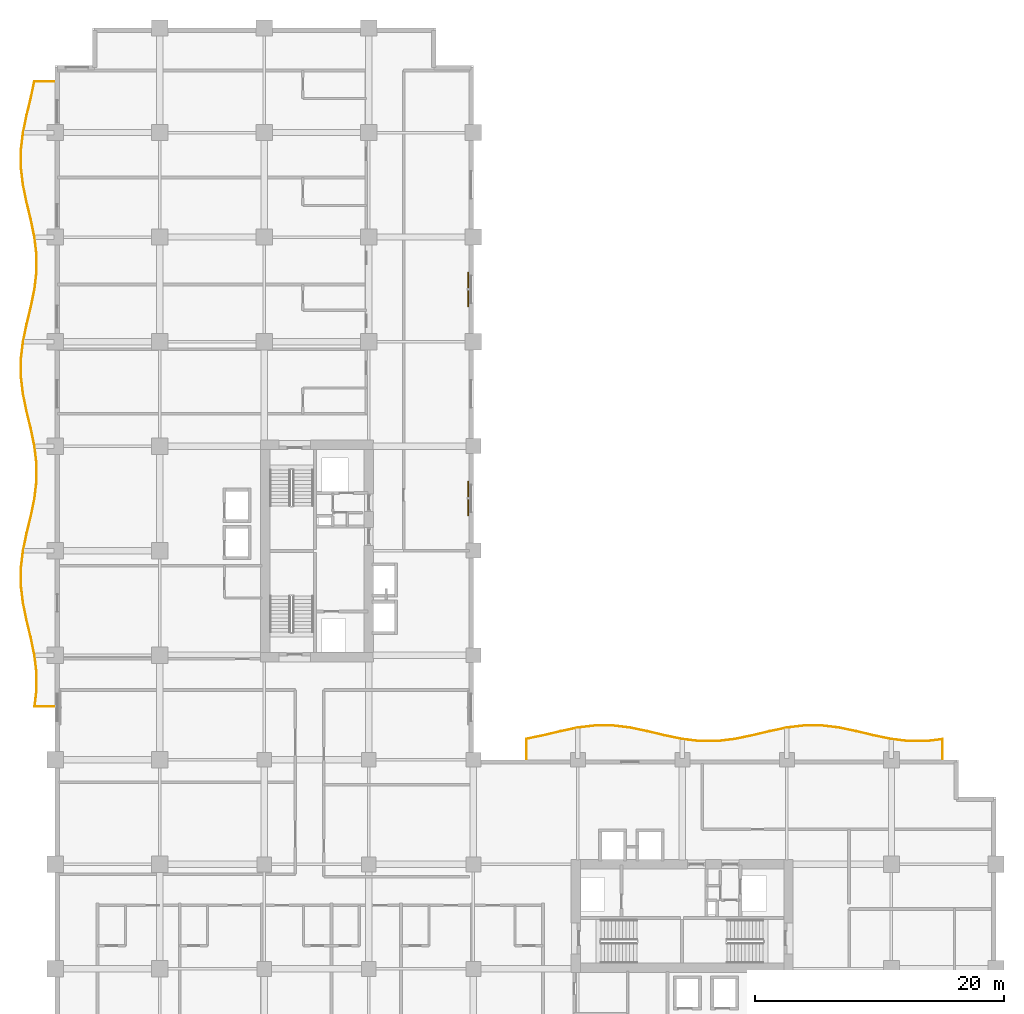
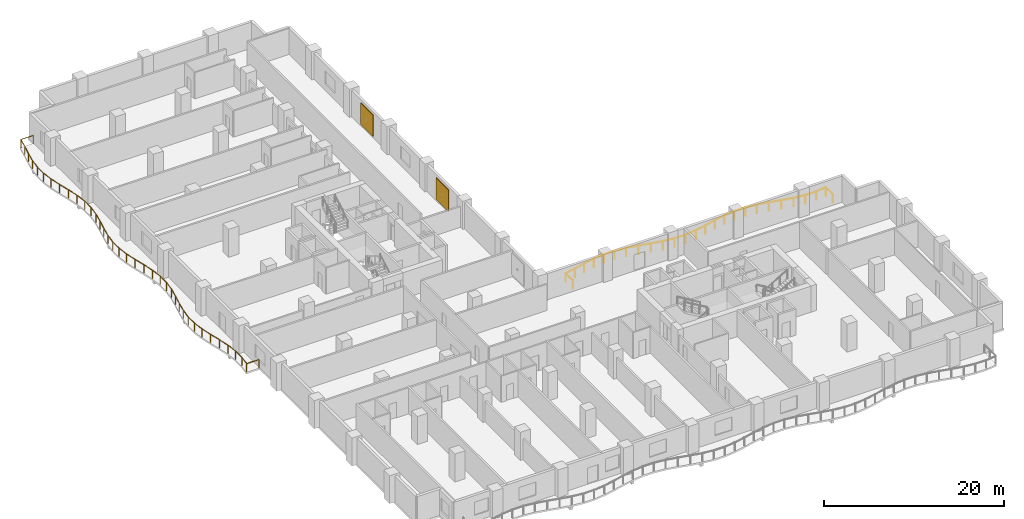
# One storey, part 17 of 17: 2 railings, 2 shading devices.
"""IFC4 building model written with IfcOpenShell, lengths in metres."""

from ifc_helpers import new_model, si_unit, direction, frame, origin, origin_2d, place, context, subcontext, project, spatial, rectangle, circle, extrude, material, layer, layer_set, type_object, element, save


model = new_model("IFC4")

# Units and contexts
model_context = context("Model", 3, precision=1e-05, world=origin(), true_north=direction((0.0, 1.0)))
body_context = subcontext(model_context, "Body", "Model", "MODEL_VIEW")
ifc_project = project(units=[si_unit("LENGTHUNIT", "METRE"), si_unit("AREAUNIT", "SQUARE_METRE"), si_unit("VOLUMEUNIT", "CUBIC_METRE"), si_unit("PLANEANGLEUNIT", "RADIAN"), si_unit("MASSUNIT", "GRAM", prefix="KILO")], contexts=[model_context])

# Site, building, storey
site_placement = place(None, origin())
site = spatial("IfcSite", under=ifc_project, at=site_placement, CompositionType="ELEMENT")
building_placement = place(site_placement, origin())
building = spatial("IfcBuilding", under=site, at=building_placement, Name="Koriwani Terraces Tower", CompositionType="ELEMENT")
storey_placement = place(building_placement, frame((0.0, 0.0, 122.800048828125)))
storey = spatial("IfcBuildingStorey", under=building, at=storey_placement, Name="L29", CompositionType="ELEMENT", Elevation=122.800048828125)

# Railings
ifc_material_1 = material(Name="Steel ASTM A572 Grade 50", Category="steel")
railing_type = type_object("IfcRailingType", Name="GUARD_BALUSTRADE_1150", PredefinedType="BALUSTRADE", material=ifc_material_1)
railing_1_placement = place(storey_placement, frame((-0.080078125, 37.8798828125, 0.0)))
element("IfcRailing", 1, at=railing_1_placement, inside=storey, type_object=railing_type, Name="L29 Balcony Perimeter Safety Balustrade (W)", PredefinedType="BALUSTRADE", context=body_context, shape_type="SweptSolid", body=[
    extrude(circle(Radius=0.02392578125, at=origin_2d()), frame((0.0, 0.0, 1.1259765625), z_axis=(-1.0, 0.0, 0.0), x_axis=(0.0, -1.0, 0.0)), (0.0, 0.0, 1.0), 1.570068359375),
    extrude(circle(Radius=0.02392578125, at=origin_2d()), frame((-1.570068359375, 0.0, 1.1259765625), z_axis=(0.11904348932, 0.992889040956, 0.0), x_axis=(-0.992889040956, 0.11904348932, 0.0)), (0.0, 0.0, 1.0), 1.324951171875),
    extrude(circle(Radius=0.02392578125, at=origin_2d()), frame((-1.412353515625, 1.3154296875, 1.1259765625), z_axis=(0.0, 1.0, 0.0), x_axis=(-1.0, 0.0, 0.0)), (0.0, 0.0, 1.0), 1.409423828125),
    extrude(circle(Radius=0.02392578125, at=origin_2d()), frame((-1.412353515625, 2.724853515625, 1.1259765625), z_axis=(-0.119287758056, 0.992859723616, 0.0), x_axis=(-0.992859723616, -0.119287758056, 0.0)), (0.0, 0.0, 1.0), 1.418212890625),
    extrude(circle(Radius=0.02392578125, at=origin_2d()), frame((-1.58154296875, 4.133056640625, 1.1259765625), z_axis=(-0.203539678581, 0.979066698056, 0.0), x_axis=(-0.979066698056, -0.203539678581, 0.0)), (0.0, 0.0, 1.0), 1.4345703125),
    extrude(circle(Radius=0.02392578125, at=origin_2d()), frame((-1.87353515625, 5.53759765625, 1.1259765625), z_axis=(-0.233667958249, 0.972316453264, 0.0), x_axis=(-0.972316453264, -0.233667958249, 0.0)), (0.0, 0.0, 1.0), 1.439697265625),
    extrude(circle(Radius=0.02392578125, at=origin_2d()), frame((-2.2099609375, 6.9375, 1.1259765625), z_axis=(-0.203817459967, 0.979008908546, 0.0), x_axis=(-0.979008908546, -0.203817459967, 0.0)), (0.0, 0.0, 1.0), 1.425537109375),
    extrude(circle(Radius=0.02392578125, at=origin_2d()), frame((-2.50048828125, 8.3330078125, 1.1259765625), z_axis=(-0.119296300234, 0.992858697273, 0.0), x_axis=(-0.992858697273, -0.119296300234, 0.0)), (0.0, 0.0, 1.0), 1.40185546875),
    extrude(circle(Radius=0.02392578125, at=origin_2d()), frame((-2.667724609375, 9.724853515625, 1.1259765625), z_axis=(0.0, 1.0, 0.0), x_axis=(-1.0, 0.0, 0.0)), (0.0, 0.0, 1.0), 1.390380859375),
    extrude(circle(Radius=0.02392578125, at=origin_2d()), frame((-2.667724609375, 11.115234375, 1.1259765625), z_axis=(0.119275676073, 0.992861175138, 0.0), x_axis=(-0.992861175138, 0.119275676073, 0.0)), (0.0, 0.0, 1.0), 1.402099609375),
    extrude(circle(Radius=0.02392578125, at=origin_2d()), frame((-2.50048828125, 12.50732421875, 1.1259765625), z_axis=(0.20385164167, 0.979001791719, 0.0), x_axis=(-0.979001791719, 0.20385164167, 0.0)), (0.0, 0.0, 1.0), 1.42529296875),
    extrude(circle(Radius=0.02392578125, at=origin_2d()), frame((-2.2099609375, 13.902587890625, 1.1259765625), z_axis=(0.233629438166, 0.972325709638, 0.0), x_axis=(-0.972325709638, 0.233629438166, 0.0)), (0.0, 0.0, 1.0), 1.43994140625),
    extrude(circle(Radius=0.02392578125, at=origin_2d()), frame((-1.87353515625, 15.302734375, 1.1259765625), z_axis=(0.203539678581, 0.979066698056, 0.0), x_axis=(-0.979066698056, 0.203539678581, 0.0)), (0.0, 0.0, 1.0), 1.4345703125),
    extrude(circle(Radius=0.02392578125, at=origin_2d()), frame((-1.58154296875, 16.707275390625, 1.1259765625), z_axis=(0.119308148191, 0.992857273618, 0.0), x_axis=(-0.992857273618, 0.119308148191, 0.0)), (0.0, 0.0, 1.0), 1.41796875),
    extrude(circle(Radius=0.02392578125, at=origin_2d()), frame((-1.412353515625, 18.115234375, 1.1259765625), z_axis=(0.0, 1.0, 0.0), x_axis=(-1.0, 0.0, 0.0)), (0.0, 0.0, 1.0), 1.40966796875),
    extrude(circle(Radius=0.02392578125, at=origin_2d()), frame((-1.412353515625, 19.52490234375, 1.1259765625), z_axis=(-0.119287758056, 0.992859723616, 0.0), x_axis=(-0.992859723616, -0.119287758056, 0.0)), (0.0, 0.0, 1.0), 1.418212890625),
    extrude(circle(Radius=0.02392578125, at=origin_2d()), frame((-1.58154296875, 20.93310546875, 1.1259765625), z_axis=(-0.203539678581, 0.979066698056, 0.0), x_axis=(-0.979066698056, -0.203539678581, 0.0)), (0.0, 0.0, 1.0), 1.4345703125),
    extrude(circle(Radius=0.02392578125, at=origin_2d()), frame((-1.87353515625, 22.337646484375, 1.1259765625), z_axis=(-0.233667958249, 0.972316453264, 0.0), x_axis=(-0.972316453264, -0.233667958249, 0.0)), (0.0, 0.0, 1.0), 1.439697265625),
    extrude(circle(Radius=0.02392578125, at=origin_2d()), frame((-2.2099609375, 23.737548828125, 1.1259765625), z_axis=(-0.203817459967, 0.979008908546, 0.0), x_axis=(-0.979008908546, -0.203817459967, 0.0)), (0.0, 0.0, 1.0), 1.425537109375),
    extrude(circle(Radius=0.02392578125, at=origin_2d()), frame((-2.50048828125, 25.133056640625, 1.1259765625), z_axis=(-0.119296300234, 0.992858697273, 0.0), x_axis=(-0.992858697273, -0.119296300234, 0.0)), (0.0, 0.0, 1.0), 1.40185546875),
    extrude(circle(Radius=0.02392578125, at=origin_2d()), frame((-2.667724609375, 26.52490234375, 1.1259765625), z_axis=(0.0, 1.0, 0.0), x_axis=(-1.0, 0.0, 0.0)), (0.0, 0.0, 1.0), 1.390380859375),
    extrude(circle(Radius=0.02392578125, at=origin_2d()), frame((-2.667724609375, 27.915283203125, 1.1259765625), z_axis=(0.119296300234, 0.992858697273, 0.0), x_axis=(-0.992858697273, 0.119296300234, 0.0)), (0.0, 0.0, 1.0), 1.40185546875),
    extrude(circle(Radius=0.02392578125, at=origin_2d()), frame((-2.50048828125, 29.30712890625, 1.1259765625), z_axis=(0.203817459967, 0.979008908546, 0.0), x_axis=(-0.979008908546, 0.203817459967, 0.0)), (0.0, 0.0, 1.0), 1.425537109375),
    extrude(circle(Radius=0.02392578125, at=origin_2d()), frame((-2.2099609375, 30.70263671875, 1.1259765625), z_axis=(0.233667958249, 0.972316453264, 0.0), x_axis=(-0.972316453264, 0.233667958249, 0.0)), (0.0, 0.0, 1.0), 1.439697265625),
    extrude(circle(Radius=0.02392578125, at=origin_2d()), frame((-1.87353515625, 32.1025390625, 1.1259765625), z_axis=(0.203505770089, 0.979073746732, 0.0), x_axis=(-0.979073746732, 0.203505770089, 0.0)), (0.0, 0.0, 1.0), 1.434814453125),
    extrude(circle(Radius=0.02392578125, at=origin_2d()), frame((-1.58154296875, 33.50732421875, 1.1259765625), z_axis=(0.119308148191, 0.992857273618, 0.0), x_axis=(-0.992857273618, 0.119308148191, 0.0)), (0.0, 0.0, 1.0), 1.41796875),
    extrude(circle(Radius=0.02392578125, at=origin_2d()), frame((-1.412353515625, 34.915283203125, 1.1259765625), z_axis=(0.0, 1.0, 0.0), x_axis=(-1.0, 0.0, 0.0)), (0.0, 0.0, 1.0), 1.40966796875),
    extrude(circle(Radius=0.02392578125, at=origin_2d()), frame((-1.412353515625, 36.324951171875, 1.1259765625), z_axis=(-0.119308148191, 0.992857273618, 0.0), x_axis=(-0.992857273618, -0.119308148191, 0.0)), (0.0, 0.0, 1.0), 1.41796875),
    extrude(circle(Radius=0.02392578125, at=origin_2d()), frame((-1.58154296875, 37.73291015625, 1.1259765625), z_axis=(-0.203505770089, 0.979073746732, 0.0), x_axis=(-0.979073746732, -0.203505770089, 0.0)), (0.0, 0.0, 1.0), 1.434814453125),
    extrude(circle(Radius=0.02392578125, at=origin_2d()), frame((-1.87353515625, 39.1376953125, 1.1259765625), z_axis=(-0.233667958249, 0.972316453264, 0.0), x_axis=(-0.972316453264, -0.233667958249, 0.0)), (0.0, 0.0, 1.0), 1.439697265625),
    extrude(circle(Radius=0.02392578125, at=origin_2d()), frame((-2.2099609375, 40.53759765625, 1.1259765625), z_axis=(-0.203817459967, 0.979008908546, 0.0), x_axis=(-0.979008908546, -0.203817459967, 0.0)), (0.0, 0.0, 1.0), 1.425537109375),
    extrude(circle(Radius=0.02392578125, at=origin_2d()), frame((-2.50048828125, 41.93310546875, 1.1259765625), z_axis=(-0.119296300234, 0.992858697273, 0.0), x_axis=(-0.992858697273, -0.119296300234, 0.0)), (0.0, 0.0, 1.0), 1.40185546875),
    extrude(circle(Radius=0.02392578125, at=origin_2d()), frame((-2.667724609375, 43.324951171875, 1.1259765625), z_axis=(0.0, 1.0, 0.0), x_axis=(-1.0, 0.0, 0.0)), (0.0, 0.0, 1.0), 1.390380859375),
    extrude(circle(Radius=0.02392578125, at=origin_2d()), frame((-2.667724609375, 44.71533203125, 1.1259765625), z_axis=(0.119296300234, 0.992858697273, 0.0), x_axis=(-0.992858697273, 0.119296300234, 0.0)), (0.0, 0.0, 1.0), 1.40185546875),
    extrude(circle(Radius=0.02392578125, at=origin_2d()), frame((-2.50048828125, 46.107177734375, 1.1259765625), z_axis=(0.203817459967, 0.979008908546, 0.0), x_axis=(-0.979008908546, 0.203817459967, 0.0)), (0.0, 0.0, 1.0), 1.425537109375),
    extrude(circle(Radius=0.02392578125, at=origin_2d()), frame((-2.2099609375, 47.502685546875, 1.1259765625), z_axis=(0.233667958249, 0.972316453264, 0.0), x_axis=(-0.972316453264, 0.233667958249, 0.0)), (0.0, 0.0, 1.0), 1.439697265625),
    extrude(circle(Radius=0.02392578125, at=origin_2d()), frame((-1.87353515625, 48.902587890625, 1.1259765625), z_axis=(0.203704500299, 0.979032418543, 0.0), x_axis=(-0.979032418543, 0.203704500299, 0.0)), (0.0, 0.0, 1.0), 1.3662109375),
    extrude(circle(Radius=0.02392578125, at=origin_2d()), frame((-1.59521484375, 50.240234375, 1.1259765625), z_axis=(1.0, 0.0, 0.0), x_axis=(0.0, 1.0, 0.0)), (0.0, 0.0, 1.0), 1.59521484375),
    extrude(circle(Radius=0.02099609375, at=origin_2d()), origin(), (0.0, 0.0, 1.0), 1.101806640625),
    extrude(circle(Radius=0.02099609375, at=origin_2d()), frame((-1.570068359375, 0.0, 0.0)), (0.0, 0.0, 1.0), 1.101806640625),
    extrude(circle(Radius=0.02099609375, at=origin_2d()), frame((-1.412353515625, 1.3154296875, 0.0)), (0.0, 0.0, 1.0), 1.101806640625),
    extrude(circle(Radius=0.02099609375, at=origin_2d()), frame((-1.412353515625, 2.724853515625, 0.0)), (0.0, 0.0, 1.0), 1.101806640625),
    extrude(circle(Radius=0.02099609375, at=origin_2d()), frame((-1.58154296875, 4.133056640625, 0.0)), (0.0, 0.0, 1.0), 1.101806640625),
    extrude(circle(Radius=0.02099609375, at=origin_2d()), frame((-1.87353515625, 5.53759765625, 0.0)), (0.0, 0.0, 1.0), 1.101806640625),
    extrude(circle(Radius=0.02099609375, at=origin_2d()), frame((-2.2099609375, 6.9375, 0.0)), (0.0, 0.0, 1.0), 1.101806640625),
    extrude(circle(Radius=0.02099609375, at=origin_2d()), frame((-2.50048828125, 8.3330078125, 0.0)), (0.0, 0.0, 1.0), 1.101806640625),
    extrude(circle(Radius=0.02099609375, at=origin_2d()), frame((-2.667724609375, 9.724853515625, 0.0)), (0.0, 0.0, 1.0), 1.101806640625),
    extrude(circle(Radius=0.02099609375, at=origin_2d()), frame((-2.667724609375, 11.115234375, 0.0)), (0.0, 0.0, 1.0), 1.101806640625),
    extrude(circle(Radius=0.02099609375, at=origin_2d()), frame((-2.50048828125, 12.50732421875, 0.0)), (0.0, 0.0, 1.0), 1.101806640625),
    extrude(circle(Radius=0.02099609375, at=origin_2d()), frame((-2.2099609375, 13.902587890625, 0.0)), (0.0, 0.0, 1.0), 1.101806640625),
    extrude(circle(Radius=0.02099609375, at=origin_2d()), frame((-1.87353515625, 15.302734375, 0.0)), (0.0, 0.0, 1.0), 1.101806640625),
    extrude(circle(Radius=0.02099609375, at=origin_2d()), frame((-1.58154296875, 16.707275390625, 0.0)), (0.0, 0.0, 1.0), 1.101806640625),
    extrude(circle(Radius=0.02099609375, at=origin_2d()), frame((-1.412353515625, 18.115234375, 0.0)), (0.0, 0.0, 1.0), 1.101806640625),
    extrude(circle(Radius=0.02099609375, at=origin_2d()), frame((-1.412353515625, 19.52490234375, 0.0)), (0.0, 0.0, 1.0), 1.101806640625),
    extrude(circle(Radius=0.02099609375, at=origin_2d()), frame((-1.58154296875, 20.93310546875, 0.0)), (0.0, 0.0, 1.0), 1.101806640625),
    extrude(circle(Radius=0.02099609375, at=origin_2d()), frame((-1.87353515625, 22.337646484375, 0.0)), (0.0, 0.0, 1.0), 1.101806640625),
    extrude(circle(Radius=0.02099609375, at=origin_2d()), frame((-2.2099609375, 23.737548828125, 0.0)), (0.0, 0.0, 1.0), 1.101806640625),
    extrude(circle(Radius=0.02099609375, at=origin_2d()), frame((-2.50048828125, 25.133056640625, 0.0)), (0.0, 0.0, 1.0), 1.101806640625),
    extrude(circle(Radius=0.02099609375, at=origin_2d()), frame((-2.667724609375, 26.52490234375, 0.0)), (0.0, 0.0, 1.0), 1.101806640625),
    extrude(circle(Radius=0.02099609375, at=origin_2d()), frame((-2.667724609375, 27.915283203125, 0.0)), (0.0, 0.0, 1.0), 1.101806640625),
    extrude(circle(Radius=0.02099609375, at=origin_2d()), frame((-2.50048828125, 29.30712890625, 0.0)), (0.0, 0.0, 1.0), 1.101806640625),
    extrude(circle(Radius=0.02099609375, at=origin_2d()), frame((-2.2099609375, 30.70263671875, 0.0)), (0.0, 0.0, 1.0), 1.101806640625),
    extrude(circle(Radius=0.02099609375, at=origin_2d()), frame((-1.87353515625, 32.1025390625, 0.0)), (0.0, 0.0, 1.0), 1.101806640625),
    extrude(circle(Radius=0.02099609375, at=origin_2d()), frame((-1.58154296875, 33.50732421875, 0.0)), (0.0, 0.0, 1.0), 1.101806640625),
    extrude(circle(Radius=0.02099609375, at=origin_2d()), frame((-1.412353515625, 34.915283203125, 0.0)), (0.0, 0.0, 1.0), 1.101806640625),
    extrude(circle(Radius=0.02099609375, at=origin_2d()), frame((-1.412353515625, 36.324951171875, 0.0)), (0.0, 0.0, 1.0), 1.101806640625),
    extrude(circle(Radius=0.02099609375, at=origin_2d()), frame((-1.58154296875, 37.73291015625, 0.0)), (0.0, 0.0, 1.0), 1.101806640625),
    extrude(circle(Radius=0.02099609375, at=origin_2d()), frame((-1.87353515625, 39.1376953125, 0.0)), (0.0, 0.0, 1.0), 1.101806640625),
    extrude(circle(Radius=0.02099609375, at=origin_2d()), frame((-2.2099609375, 40.53759765625, 0.0)), (0.0, 0.0, 1.0), 1.101806640625),
    extrude(circle(Radius=0.02099609375, at=origin_2d()), frame((-2.50048828125, 41.93310546875, 0.0)), (0.0, 0.0, 1.0), 1.101806640625),
    extrude(circle(Radius=0.02099609375, at=origin_2d()), frame((-2.667724609375, 43.324951171875, 0.0)), (0.0, 0.0, 1.0), 1.101806640625),
    extrude(circle(Radius=0.02099609375, at=origin_2d()), frame((-2.667724609375, 44.71533203125, 0.0)), (0.0, 0.0, 1.0), 1.101806640625),
    extrude(circle(Radius=0.02099609375, at=origin_2d()), frame((-2.50048828125, 46.107177734375, 0.0)), (0.0, 0.0, 1.0), 1.101806640625),
    extrude(circle(Radius=0.02099609375, at=origin_2d()), frame((-2.2099609375, 47.502685546875, 0.0)), (0.0, 0.0, 1.0), 1.101806640625),
    extrude(circle(Radius=0.02099609375, at=origin_2d()), frame((-1.87353515625, 48.902587890625, 0.0)), (0.0, 0.0, 1.0), 1.101806640625),
    extrude(circle(Radius=0.02099609375, at=origin_2d()), frame((-1.59521484375, 50.240234375, 0.0)), (0.0, 0.0, 1.0), 1.101806640625),
    extrude(circle(Radius=0.02099609375, at=origin_2d()), frame((0.0, 50.240234375, 0.0)), (0.0, 0.0, 1.0), 1.101806640625),
])
railing_2_placement = place(storey_placement, frame((71.320068359375, 33.679931640625, 0.0)))
element("IfcRailing", 2, at=railing_2_placement, inside=storey, type_object=railing_type, Name="L29 Balcony Perimeter Safety Balustrade (NE)", PredefinedType="BALUSTRADE", context=body_context, shape_type="SweptSolid", body=[
    extrude(circle(Radius=0.02392578125, at=origin_2d()), frame((0.0, 0.0, 1.1259765625), z_axis=(0.0, 1.0, 0.0), x_axis=(-1.0, 0.0, 0.0)), (0.0, 0.0, 1.0), 1.5703125),
    extrude(circle(Radius=0.02392578125, at=origin_2d()), frame((0.0, 1.5703125, 1.1259765625), z_axis=(-0.992864623627, -0.119246967048, 0.0), x_axis=(0.119246967048, -0.992864623627, 0.0)), (0.0, 0.0, 1.0), 1.32470703125),
    extrude(circle(Radius=0.02392578125, at=origin_2d()), frame((-1.315185546875, 1.412353515625, 1.1259765625), z_axis=(-1.0, 0.0, 0.0), x_axis=(0.0, -1.0, 0.0)), (0.0, 0.0, 1.0), 1.40966796875),
    extrude(circle(Radius=0.02392578125, at=origin_2d()), frame((-2.724853515625, 1.412353515625, 1.1259765625), z_axis=(-0.992859723616, 0.119287758056, 0.0), x_axis=(-0.119287758056, -0.992859723616, 0.0)), (0.0, 0.0, 1.0), 1.418212890625),
    extrude(circle(Radius=0.02392578125, at=origin_2d()), frame((-4.133056640625, 1.58154296875, 1.1259765625), z_axis=(-0.979032771622, 0.203702803343, 0.0), x_axis=(-0.203702803343, -0.979032771622, 0.0)), (0.0, 0.0, 1.0), 1.4345703125),
    extrude(circle(Radius=0.02392578125, at=origin_2d()), frame((-5.53759765625, 1.873779296875, 1.1259765625), z_axis=(-0.972316453264, 0.233667958249, 0.0), x_axis=(-0.233667958249, -0.972316453264, 0.0)), (0.0, 0.0, 1.0), 1.439697265625),
    extrude(circle(Radius=0.02392578125, at=origin_2d()), frame((-6.9375, 2.210205078125, 1.1259765625), z_axis=(-0.979008908546, 0.203817459967, 0.0), x_axis=(-0.203817459967, -0.979008908546, 0.0)), (0.0, 0.0, 1.0), 1.425537109375),
    extrude(circle(Radius=0.02392578125, at=origin_2d()), frame((-8.3330078125, 2.500732421875, 1.1259765625), z_axis=(-0.992858697273, 0.119296300234, 0.0), x_axis=(-0.119296300234, -0.992858697273, 0.0)), (0.0, 0.0, 1.0), 1.40185546875),
    extrude(circle(Radius=0.02392578125, at=origin_2d()), frame((-9.724853515625, 2.66796875, 1.1259765625), z_axis=(-1.0, 0.0, 0.0), x_axis=(0.0, -1.0, 0.0)), (0.0, 0.0, 1.0), 1.390380859375),
    extrude(circle(Radius=0.02392578125, at=origin_2d()), frame((-11.115234375, 2.66796875, 1.1259765625), z_axis=(-0.992858697273, -0.119296300234, 0.0), x_axis=(0.119296300234, -0.992858697273, 0.0)), (0.0, 0.0, 1.0), 1.40185546875),
    extrude(circle(Radius=0.02392578125, at=origin_2d()), frame((-12.507080078125, 2.500732421875, 1.1259765625), z_axis=(-0.979008908546, -0.203817459967, 0.0), x_axis=(0.203817459967, -0.979008908546, 0.0)), (0.0, 0.0, 1.0), 1.425537109375),
    extrude(circle(Radius=0.02392578125, at=origin_2d()), frame((-13.902587890625, 2.210205078125, 1.1259765625), z_axis=(-0.972316453264, -0.233667958249, 0.0), x_axis=(0.233667958249, -0.972316453264, 0.0)), (0.0, 0.0, 1.0), 1.439697265625),
    extrude(circle(Radius=0.02392578125, at=origin_2d()), frame((-15.302490234375, 1.873779296875, 1.1259765625), z_axis=(-0.979039831356, -0.203668870027, 0.0), x_axis=(0.203668870027, -0.979039831356, 0.0)), (0.0, 0.0, 1.0), 1.434814453125),
    extrude(circle(Radius=0.02392578125, at=origin_2d()), frame((-16.707275390625, 1.58154296875, 1.1259765625), z_axis=(-0.992857273618, -0.119308148191, 0.0), x_axis=(0.119308148191, -0.992857273618, 0.0)), (0.0, 0.0, 1.0), 1.41796875),
    extrude(circle(Radius=0.02392578125, at=origin_2d()), frame((-18.115234375, 1.412353515625, 1.1259765625), z_axis=(-1.0, 0.0, 0.0), x_axis=(0.0, -1.0, 0.0)), (0.0, 0.0, 1.0), 1.40966796875),
    extrude(circle(Radius=0.02392578125, at=origin_2d()), frame((-19.52490234375, 1.412353515625, 1.1259765625), z_axis=(-0.992857273618, 0.119308148191, 0.0), x_axis=(-0.119308148191, -0.992857273618, 0.0)), (0.0, 0.0, 1.0), 1.41796875),
    extrude(circle(Radius=0.02392578125, at=origin_2d()), frame((-20.932861328125, 1.58154296875, 1.1259765625), z_axis=(-0.979039831356, 0.203668870027, 0.0), x_axis=(-0.203668870027, -0.979039831356, 0.0)), (0.0, 0.0, 1.0), 1.434814453125),
    extrude(circle(Radius=0.02392578125, at=origin_2d()), frame((-22.337646484375, 1.873779296875, 1.1259765625), z_axis=(-0.972316453264, 0.233667958249, 0.0), x_axis=(-0.233667958249, -0.972316453264, 0.0)), (0.0, 0.0, 1.0), 1.439697265625),
    extrude(circle(Radius=0.02392578125, at=origin_2d()), frame((-23.737548828125, 2.210205078125, 1.1259765625), z_axis=(-0.979008908546, 0.203817459967, 0.0), x_axis=(-0.203817459967, -0.979008908546, 0.0)), (0.0, 0.0, 1.0), 1.425537109375),
    extrude(circle(Radius=0.02392578125, at=origin_2d()), frame((-25.133056640625, 2.500732421875, 1.1259765625), z_axis=(-0.992858697273, 0.119296300234, 0.0), x_axis=(-0.119296300234, -0.992858697273, 0.0)), (0.0, 0.0, 1.0), 1.40185546875),
    extrude(circle(Radius=0.02392578125, at=origin_2d()), frame((-26.52490234375, 2.66796875, 1.1259765625), z_axis=(-1.0, 0.0, 0.0), x_axis=(0.0, -1.0, 0.0)), (0.0, 0.0, 1.0), 1.390380859375),
    extrude(circle(Radius=0.02392578125, at=origin_2d()), frame((-27.915283203125, 2.66796875, 1.1259765625), z_axis=(-0.992858697273, -0.119296300234, 0.0), x_axis=(0.119296300234, -0.992858697273, 0.0)), (0.0, 0.0, 1.0), 1.40185546875),
    extrude(circle(Radius=0.02392578125, at=origin_2d()), frame((-29.30712890625, 2.500732421875, 1.1259765625), z_axis=(-0.979008908546, -0.203817459967, 0.0), x_axis=(0.203817459967, -0.979008908546, 0.0)), (0.0, 0.0, 1.0), 1.425537109375),
    extrude(circle(Radius=0.02392578125, at=origin_2d()), frame((-30.70263671875, 2.210205078125, 1.1259765625), z_axis=(-0.972316453264, -0.233667958249, 0.0), x_axis=(0.233667958249, -0.972316453264, 0.0)), (0.0, 0.0, 1.0), 1.439697265625),
    extrude(circle(Radius=0.02392578125, at=origin_2d()), frame((-32.1025390625, 1.873779296875, 1.1259765625), z_axis=(-0.979032418543, -0.203704500299, 0.0), x_axis=(0.203704500299, -0.979032418543, 0.0)), (0.0, 0.0, 1.0), 1.3662109375),
    extrude(circle(Radius=0.02392578125, at=origin_2d()), frame((-33.440185546875, 1.595458984375, 1.1259765625), z_axis=(0.0, -1.0, 0.0), x_axis=(1.0, 0.0, 0.0)), (0.0, 0.0, 1.0), 1.595458984375),
    extrude(circle(Radius=0.02099609375, at=origin_2d()), origin(), (0.0, 0.0, 1.0), 1.101806640625),
    extrude(circle(Radius=0.02099609375, at=origin_2d()), frame((0.0, 1.5703125, 0.0)), (0.0, 0.0, 1.0), 1.101806640625),
    extrude(circle(Radius=0.02099609375, at=origin_2d()), frame((-1.315185546875, 1.412353515625, 0.0)), (0.0, 0.0, 1.0), 1.101806640625),
    extrude(circle(Radius=0.02099609375, at=origin_2d()), frame((-2.724853515625, 1.412353515625, 0.0)), (0.0, 0.0, 1.0), 1.101806640625),
    extrude(circle(Radius=0.02099609375, at=origin_2d()), frame((-4.133056640625, 1.58154296875, 0.0)), (0.0, 0.0, 1.0), 1.101806640625),
    extrude(circle(Radius=0.02099609375, at=origin_2d()), frame((-5.53759765625, 1.873779296875, 0.0)), (0.0, 0.0, 1.0), 1.101806640625),
    extrude(circle(Radius=0.02099609375, at=origin_2d()), frame((-6.9375, 2.210205078125, 0.0)), (0.0, 0.0, 1.0), 1.101806640625),
    extrude(circle(Radius=0.02099609375, at=origin_2d()), frame((-8.3330078125, 2.500732421875, 0.0)), (0.0, 0.0, 1.0), 1.101806640625),
    extrude(circle(Radius=0.02099609375, at=origin_2d()), frame((-9.724853515625, 2.66796875, 0.0)), (0.0, 0.0, 1.0), 1.101806640625),
    extrude(circle(Radius=0.02099609375, at=origin_2d()), frame((-11.115234375, 2.66796875, 0.0)), (0.0, 0.0, 1.0), 1.101806640625),
    extrude(circle(Radius=0.02099609375, at=origin_2d()), frame((-12.507080078125, 2.500732421875, 0.0)), (0.0, 0.0, 1.0), 1.101806640625),
    extrude(circle(Radius=0.02099609375, at=origin_2d()), frame((-13.902587890625, 2.210205078125, 0.0)), (0.0, 0.0, 1.0), 1.101806640625),
    extrude(circle(Radius=0.02099609375, at=origin_2d()), frame((-15.302490234375, 1.873779296875, 0.0)), (0.0, 0.0, 1.0), 1.101806640625),
    extrude(circle(Radius=0.02099609375, at=origin_2d()), frame((-16.707275390625, 1.58154296875, 0.0)), (0.0, 0.0, 1.0), 1.101806640625),
    extrude(circle(Radius=0.02099609375, at=origin_2d()), frame((-18.115234375, 1.412353515625, 0.0)), (0.0, 0.0, 1.0), 1.101806640625),
    extrude(circle(Radius=0.02099609375, at=origin_2d()), frame((-19.52490234375, 1.412353515625, 0.0)), (0.0, 0.0, 1.0), 1.101806640625),
    extrude(circle(Radius=0.02099609375, at=origin_2d()), frame((-20.932861328125, 1.58154296875, 0.0)), (0.0, 0.0, 1.0), 1.101806640625),
    extrude(circle(Radius=0.02099609375, at=origin_2d()), frame((-22.337646484375, 1.873779296875, 0.0)), (0.0, 0.0, 1.0), 1.101806640625),
    extrude(circle(Radius=0.02099609375, at=origin_2d()), frame((-23.737548828125, 2.210205078125, 0.0)), (0.0, 0.0, 1.0), 1.101806640625),
    extrude(circle(Radius=0.02099609375, at=origin_2d()), frame((-25.133056640625, 2.500732421875, 0.0)), (0.0, 0.0, 1.0), 1.101806640625),
    extrude(circle(Radius=0.02099609375, at=origin_2d()), frame((-26.52490234375, 2.66796875, 0.0)), (0.0, 0.0, 1.0), 1.101806640625),
    extrude(circle(Radius=0.02099609375, at=origin_2d()), frame((-27.915283203125, 2.66796875, 0.0)), (0.0, 0.0, 1.0), 1.101806640625),
    extrude(circle(Radius=0.02099609375, at=origin_2d()), frame((-29.30712890625, 2.500732421875, 0.0)), (0.0, 0.0, 1.0), 1.101806640625),
    extrude(circle(Radius=0.02099609375, at=origin_2d()), frame((-30.70263671875, 2.210205078125, 0.0)), (0.0, 0.0, 1.0), 1.101806640625),
    extrude(circle(Radius=0.02099609375, at=origin_2d()), frame((-32.1025390625, 1.873779296875, 0.0)), (0.0, 0.0, 1.0), 1.101806640625),
    extrude(circle(Radius=0.02099609375, at=origin_2d()), frame((-33.440185546875, 1.595458984375, 0.0)), (0.0, 0.0, 1.0), 1.101806640625),
    extrude(circle(Radius=0.02099609375, at=origin_2d()), frame((-33.440185546875, 0.0, 0.0)), (0.0, 0.0, 1.0), 1.101806640625),
])

# Shading devices
ifc_material_2 = material(Name="Extruded Terracotta Clay", Category="masonry")
ifc_layer = layer(ifc_material_2, 0.1201171875, Name="Extruded Terracotta Clay")
ifc_layer_set = layer_set([ifc_layer], Name="Extruded Terracotta Clay")
shading_device_type = type_object("IfcShadingDeviceType", Name="TERRACOTTA_BAGUETTE_SCREEN_2800", PredefinedType="USERDEFINED", material=ifc_layer_set)
for number, where, z_axis, x_axis, name in (
    (3, (33.195068359375, 54.60009765625, 0.324951171875), (0.0, 0.0, 1.0), (0.0, -1.0, 0.0), "L29 Extruded Terracotta Baguette Screen (NW_IN-8)"),
    (4, (33.195068359375, 71.39990234375, 0.324951171875), (0.0, 0.0, 1.0), (0.0, -1.0, 0.0), "L29 Extruded Terracotta Baguette Screen (NW_IN-14)"),
):
    element("IfcShadingDevice", number, at=place(storey_placement, frame(where, z_axis=z_axis, x_axis=x_axis)), inside=storey, type_object=shading_device_type, Name=name, ObjectType="BAGUETTE", PredefinedType="USERDEFINED", context=body_context, shape_type="SweptSolid", body=[
        extrude(rectangle(XDim=2.760009765625, YDim=0.1201171875, at=origin_2d()), origin(), (0.0, 0.0, 1.0), 2.89990234375),
    ])

save(model, "model.ifc")
